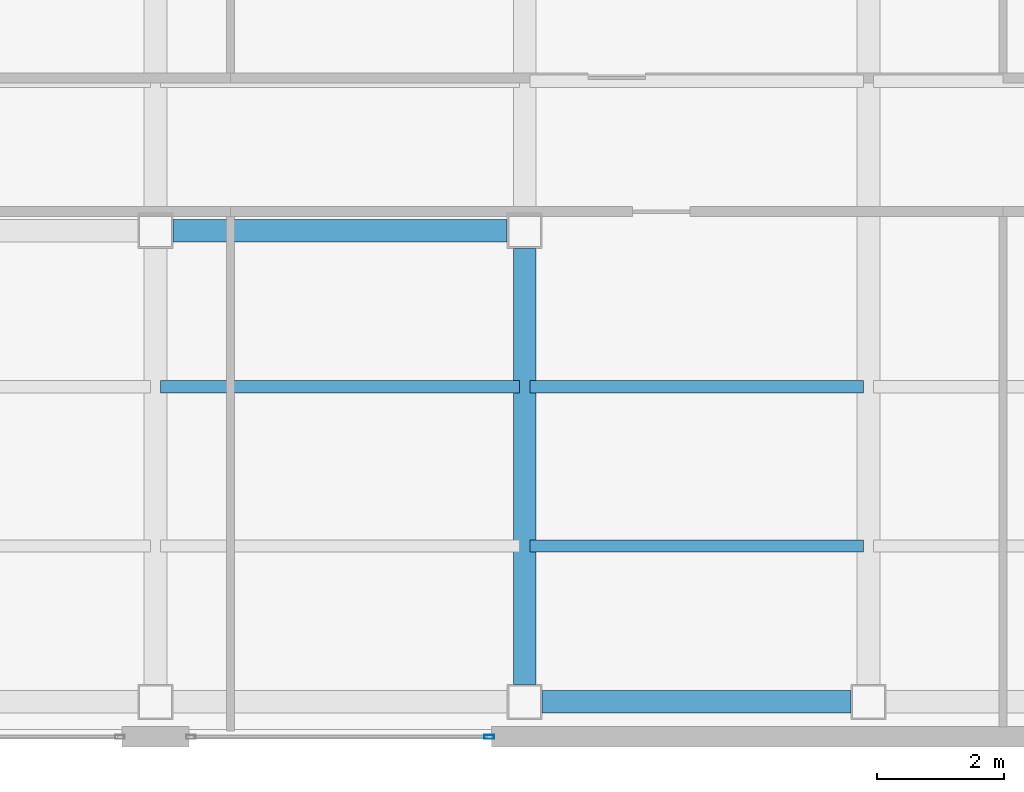
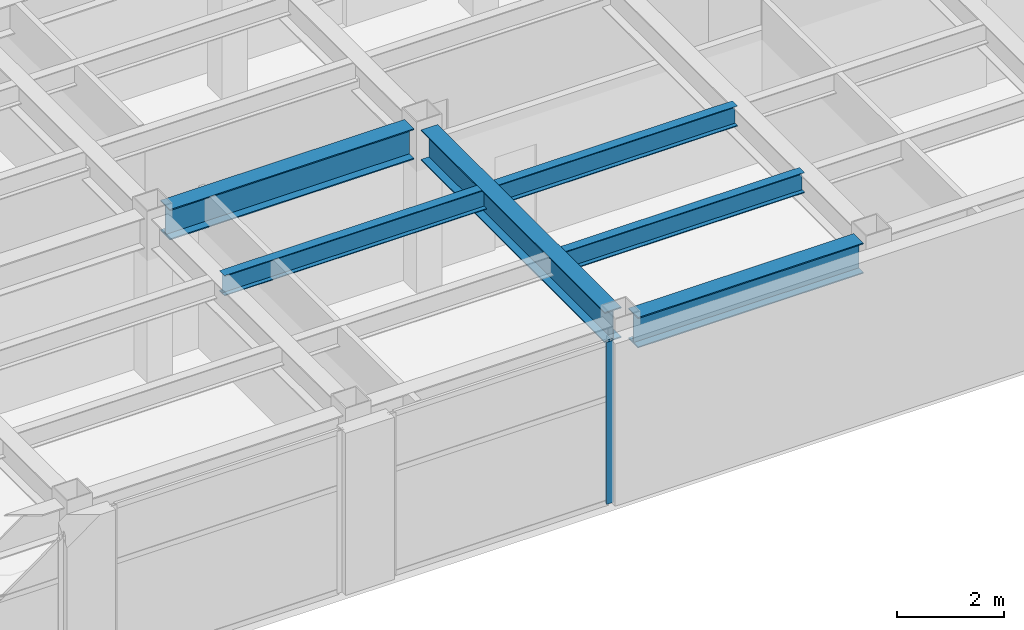
# One storey, part 7 of 17: 6 beams, 1 member, 1 element without a shape of its own.
"""IFC4 building model written with IfcOpenShell, lengths in metres."""

from ifc_helpers import new_model, si_unit, direction, frame, origin, origin_2d, place, context, subcontext, project, spatial, hollow_rectangle, i_section, extrude, material, layer, layer_set, material_profile, profile_set, type_object, element, aggregate, save


model = new_model("IFC4")

# Units and contexts
model_context = context("Model", 3, precision=1e-05, world=origin(), true_north=direction((0.0, 1.0)))
body_context = subcontext(model_context, "Body", "Model", "MODEL_VIEW")
ifc_project = project(units=[si_unit("LENGTHUNIT", "METRE"), si_unit("AREAUNIT", "SQUARE_METRE"), si_unit("VOLUMEUNIT", "CUBIC_METRE"), si_unit("PLANEANGLEUNIT", "RADIAN"), si_unit("MASSUNIT", "GRAM", prefix="KILO")], contexts=[model_context])

# Site, building, storey
site_placement = place(None, origin())
site = spatial("IfcSite", under=ifc_project, at=site_placement, CompositionType="ELEMENT")
building_placement = place(site_placement, origin())
building = spatial("IfcBuilding", under=site, at=building_placement, Name="Mawjaban Terraces University", CompositionType="ELEMENT")
storey_placement = place(building_placement, frame((0.0, 0.0, 70.0)))
storey = spatial("IfcBuildingStorey", under=building, at=storey_placement, Name="L16", CompositionType="ELEMENT", Elevation=70.0)

# Beams
ifc_material_1 = material(Name="Steel ASTM A572 Grade 50", Category="steel")
ifc_material_profile_1 = material_profile(ifc_material_1, i_section(OverallWidth=0.35498046875, OverallDepth=0.695068359375, WebThickness=0.015380859375, FlangeThickness=0.02490234375, at=origin_2d()), Name="W690X217")
ifc_profile_set_1 = profile_set([ifc_material_profile_1], Name="Steel ASTM A572 Grade 50")
beam_type_1 = type_object("IfcBeamType", Name="Beam_B_W690X217", PredefinedType="BEAM", material=ifc_profile_set_1)
beam_1_placement = place(storey_placement, frame((58.074951171875, 0.550048828125, 3.343017578125), z_axis=(1.0, 0.0, 0.0), x_axis=(0.0, 1.0, 0.0)))
element("IfcBeam", 1, at=beam_1_placement, inside=storey, type_object=beam_type_1, Name="L16 Beam BM-L16-EW-04", PredefinedType="BEAM", context=body_context, shape_type="SweptSolid", body=[
    extrude(i_section(OverallWidth=0.35498046875, OverallDepth=0.695068359375, WebThickness=0.015380859375, FlangeThickness=0.02490234375, at=origin_2d()), origin(), (0.0, 0.0, 1.0), 4.85009765625),
])
beam_2_placement = place(storey_placement, frame((52.27490234375, 7.949951171875, 3.343017578125), z_axis=(1.0, 0.0, 0.0), x_axis=(0.0, 1.0, 0.0)))
element("IfcBeam", 2, at=beam_2_placement, inside=storey, type_object=beam_type_1, Name="L16 Beam BM-L16-EW-08", PredefinedType="BEAM", context=body_context, shape_type="SweptSolid", body=[
    extrude(i_section(OverallWidth=0.35498046875, OverallDepth=0.695068359375, WebThickness=0.015380859375, FlangeThickness=0.02490234375, at=origin_2d()), origin(), (0.0, 0.0, 1.0), 5.25),
])
beam_3_placement = place(storey_placement, frame((57.800048828125, 0.824951171875, 3.343017578125), z_axis=(0.0, 1.0, 0.0), x_axis=(-1.0, 0.0, 0.0)))
element("IfcBeam", 3, at=beam_3_placement, inside=storey, type_object=beam_type_1, Name="L16 Beam BM-L16-NS-18", PredefinedType="BEAM", context=body_context, shape_type="SweptSolid", body=[
    extrude(i_section(OverallWidth=0.35498046875, OverallDepth=0.695068359375, WebThickness=0.015380859375, FlangeThickness=0.02490234375, at=origin_2d()), origin(), (0.0, 0.0, 1.0), 6.85009765625),
])
ifc_material_profile_2 = material_profile(ifc_material_1, i_section(OverallWidth=0.19189453125, OverallDepth=0.462890625, WebThickness=0.010498046875, FlangeThickness=0.017578125, at=origin_2d()), Name="W460X89")
ifc_profile_set_2 = profile_set([ifc_material_profile_2], Name="Steel ASTM A572 Grade 50")
beam_type_2 = type_object("IfcBeamType", Name="Beam_J_W460X89", PredefinedType="JOIST", material=ifc_profile_set_2)
beam_4_placement = place(storey_placement, frame((57.8798828125, 3.0, 3.458984375), z_axis=(1.0, 0.0, 0.0), x_axis=(0.0, 1.0, 0.0)))
element("IfcBeam", 4, at=beam_4_placement, inside=storey, type_object=beam_type_2, Name="L16 Composite Joist JST-L16-04", PredefinedType="JOIST", context=body_context, shape_type="SweptSolid", body=[
    extrude(i_section(OverallWidth=0.19189453125, OverallDepth=0.462890625, WebThickness=0.010498046875, FlangeThickness=0.017578125, at=origin_2d()), origin(), (0.0, 0.0, 1.0), 5.240234375),
])
beam_5_placement = place(storey_placement, frame((52.080078125, 5.5, 3.458984375), z_axis=(1.0, 0.0, 0.0), x_axis=(0.0, 1.0, 0.0)))
element("IfcBeam", 5, at=beam_5_placement, inside=storey, type_object=beam_type_2, Name="L16 Composite Joist JST-L16-08", PredefinedType="JOIST", context=body_context, shape_type="SweptSolid", body=[
    extrude(i_section(OverallWidth=0.19189453125, OverallDepth=0.462890625, WebThickness=0.010498046875, FlangeThickness=0.017578125, at=origin_2d()), origin(), (0.0, 0.0, 1.0), 5.639892578125),
])
beam_6_placement = place(storey_placement, frame((57.8798828125, 5.5, 3.458984375), z_axis=(1.0, 0.0, 0.0), x_axis=(0.0, 1.0, 0.0)))
element("IfcBeam", 6, at=beam_6_placement, inside=storey, type_object=beam_type_2, Name="L16 Composite Joist JST-L16-09", PredefinedType="JOIST", context=body_context, shape_type="SweptSolid", body=[
    extrude(i_section(OverallWidth=0.19189453125, OverallDepth=0.462890625, WebThickness=0.010498046875, FlangeThickness=0.017578125, at=origin_2d()), origin(), (0.0, 0.0, 1.0), 5.240234375),
])

# Curtain wall, member
ifc_material_2 = material(Name="Anodised aluminium 6063-T6 and solar-control low-E glass", Category="aluminium")
ifc_layer = layer(ifc_material_2, 0.1650390625)
ifc_layer_set = layer_set([ifc_layer], Name="Anodised aluminium 6063-T6 and solar-control low-E glass")
curtain_wall_type = type_object("IfcCurtainWallType", Name="CWSystem_04_EastWing", PredefinedType="NOTDEFINED", material=ifc_layer_set)
curtain_wall_placement = place(storey_placement, origin())
curtain_wall = element("IfcCurtainWall", 7, at=curtain_wall_placement, inside=storey, type_object=curtain_wall_type, Name="L16 Curtain Wall CW-04 Run 1.4", PredefinedType="NOTDEFINED")
ifc_material_3 = material(Name="Anodised aluminium 6063-T6", Category="aluminium")
ifc_material_profile_3 = material_profile(ifc_material_3, hollow_rectangle(XDim=0.06005859375, YDim=0.14990234375, WallThickness=0.00390625, at=origin_2d()), Name="ALU150X60X4")
ifc_profile_set_3 = profile_set([ifc_material_profile_3], Name="Anodised aluminium 6063-T6")
member_type = type_object("IfcMemberType", Name="Mullion_CW-04", PredefinedType="MULLION", material=ifc_profile_set_3)
member_placement = place(storey_placement, frame((57.242431640625, 0.0, 0.0), z_axis=(0.0, 0.0, 1.0), x_axis=(0.0, 1.0, 0.0)))
member = element("IfcMember", 8, at=member_placement, type_object=member_type, Name="CW-04 mullion 2", PredefinedType="MULLION", context=body_context, shape_type="SweptSolid", body=[
    extrude(hollow_rectangle(XDim=0.06005859375, YDim=0.14990234375, WallThickness=0.00390625, at=origin_2d()), origin(), (0.0, 0.0, 1.0), 3.68994140625),
])
aggregate(curtain_wall, [member])

save(model, "model.ifc")
